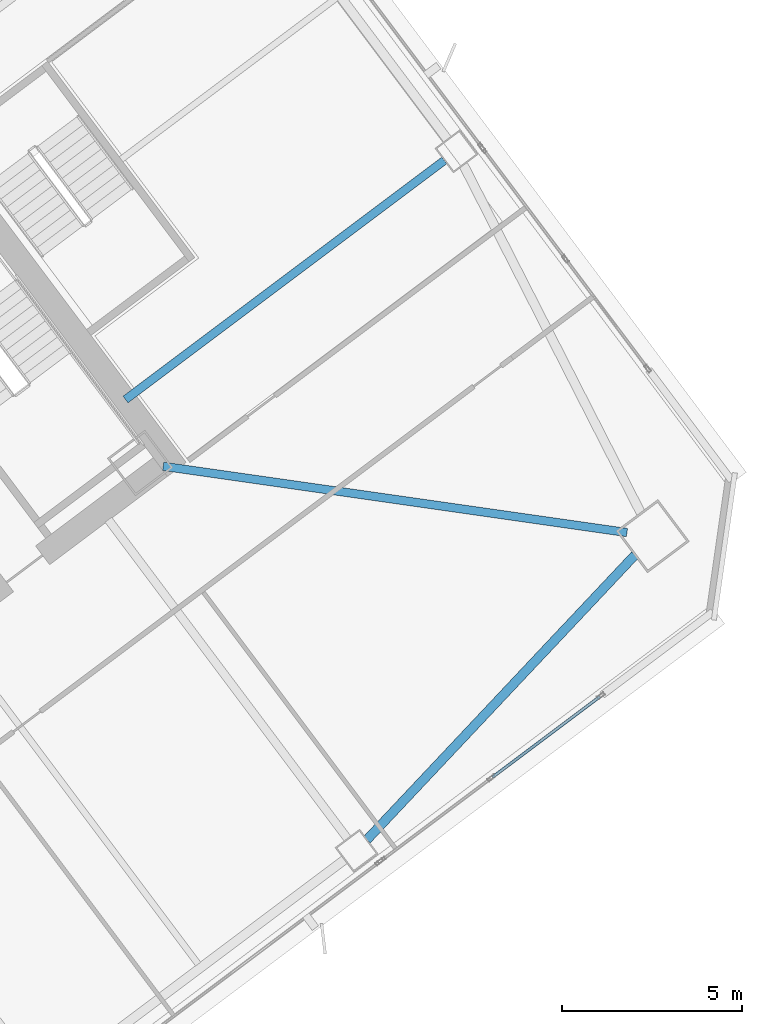
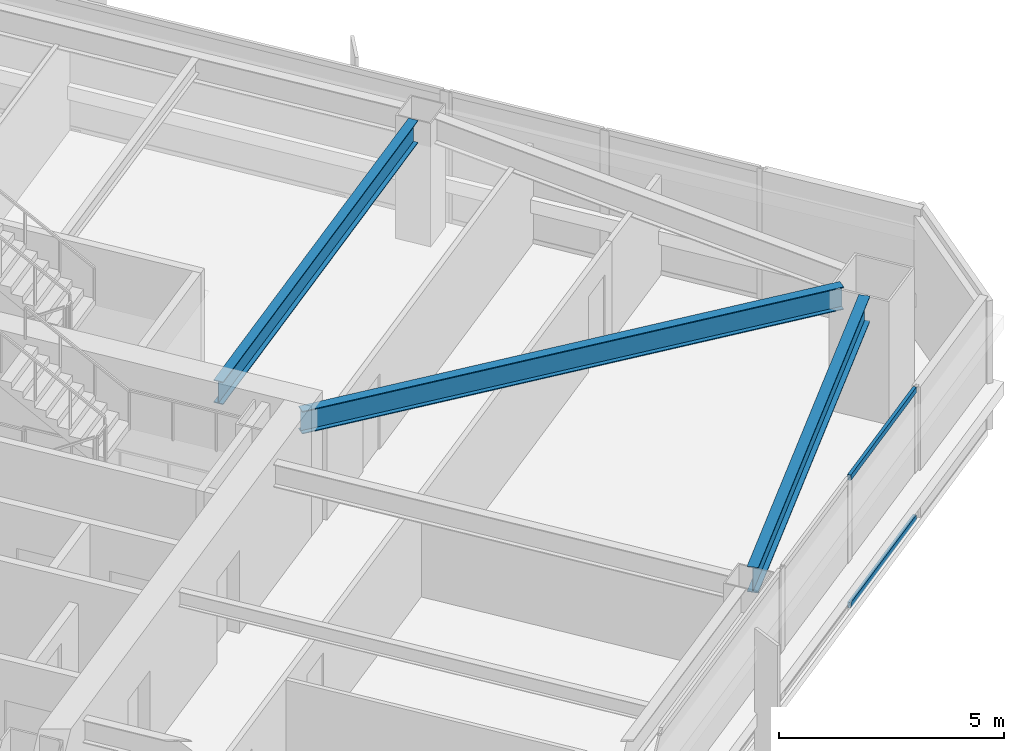
# One storey, part 27 of 49: 3 beams, 2 members, 1 element without a shape of its own.
"""IFC4 building model written with IfcOpenShell, lengths in metres."""

from ifc_helpers import new_model, si_unit, direction, frame, origin, origin_2d, place, context, subcontext, project, spatial, hollow_rectangle, i_section, extrude, material, material_profile, profile_set, type_object, element, aggregate, save


model = new_model("IFC4")

# Units and contexts
model_context = context("Model", 3, precision=1e-05, world=origin(), true_north=direction((0.0, 1.0)))
body_context = subcontext(model_context, "Body", "Model", "MODEL_VIEW")
ifc_project = project(units=[si_unit("LENGTHUNIT", "METRE"), si_unit("AREAUNIT", "SQUARE_METRE"), si_unit("VOLUMEUNIT", "CUBIC_METRE"), si_unit("PLANEANGLEUNIT", "RADIAN"), si_unit("MASSUNIT", "GRAM", prefix="KILO")], contexts=[model_context])

# Site, building, storey
site_placement = place(None, origin())
site = spatial("IfcSite", under=ifc_project, at=site_placement, CompositionType="ELEMENT")
building_placement = place(site_placement, origin())
building = spatial("IfcBuilding", under=site, at=building_placement, Name="Tashvorn Skyway Center", CompositionType="ELEMENT")
storey_placement = place(building_placement, frame((0.0, 0.0, 70.75)))
storey = spatial("IfcBuildingStorey", under=building, at=storey_placement, Name="L18", CompositionType="ELEMENT", Elevation=70.75)

# Beams
ifc_material_1 = material(Name="Steel ASTM A992 Grade 50", Category="steel")
ifc_material_profile_1 = material_profile(ifc_material_1, i_section(OverallWidth=0.22998046875, OverallDepth=0.616943359375, WebThickness=0.01318359375, FlangeThickness=0.022216796875, at=origin_2d()), Name="W24X94")
ifc_profile_set_1 = profile_set([ifc_material_profile_1], Name="Steel ASTM A992 Grade 50")
beam_type_1 = type_object("IfcBeamType", Name="BM-BEAM-W24X94", PredefinedType="BEAM", material=ifc_profile_set_1)
beam_1_placement = place(storey_placement, frame((137.3671875, 28.661865234375, 3.04150390625), z_axis=(-0.989949869571, 0.141418724841, 0.0), x_axis=(-0.141418724841, -0.989949869571, 0.0)))
element("IfcBeam", 1, at=beam_1_placement, inside=storey, type_object=beam_type_1, Name="Tower 2 L18 Primary Floor Girder MC-SE", PredefinedType="BEAM", context=body_context, shape_type="SweptSolid", body=[
    extrude(i_section(OverallWidth=0.22998046875, OverallDepth=0.616943359375, WebThickness=0.01318359375, FlangeThickness=0.022216796875, at=origin_2d()), origin(), (0.0, 0.0, 1.0), 12.9892578125),
])
beam_2_placement = place(storey_placement, frame((132.303955078125, 38.97802734375, 3.04150390625), z_axis=(-0.799989394625, -0.60001414024, 0.0), x_axis=(0.60001414024, -0.799989394625, 0.0)))
element("IfcBeam", 2, at=beam_2_placement, inside=storey, type_object=beam_type_1, Name="Tower 2 L18 Primary Floor Girder FC-E1", PredefinedType="BEAM", context=body_context, shape_type="SweptSolid", body=[
    extrude(i_section(OverallWidth=0.22998046875, OverallDepth=0.616943359375, WebThickness=0.01318359375, FlangeThickness=0.022216796875, at=origin_2d()), origin(), (0.0, 0.0, 1.0), 11.050048828125),
])
ifc_material_profile_2 = material_profile(ifc_material_1, i_section(OverallWidth=0.256103515625, OverallDepth=0.693115234375, WebThickness=0.014404296875, FlangeThickness=0.023681640625, at=origin_2d()), Name="W27X114")
ifc_profile_set_2 = profile_set([ifc_material_profile_2], Name="Steel ASTM A992 Grade 50")
beam_type_2 = type_object("IfcBeamType", Name="BM-SPANDREL-W27X114", PredefinedType="SPANDREL", material=ifc_profile_set_2)
beam_3_placement = place(storey_placement, frame((130.157958984375, 20.145751953125, 3.00341796875), z_axis=(0.685484857238, 0.728086883893, 0.0), x_axis=(-0.728086883893, 0.685484857238, 0.0)))
element("IfcBeam", 3, at=beam_3_placement, inside=storey, type_object=beam_type_2, Name="Tower 2 L18 Spandrel Beam 03", PredefinedType="SPANDREL", context=body_context, shape_type="SweptSolid", body=[
    extrude(i_section(OverallWidth=0.256103515625, OverallDepth=0.693115234375, WebThickness=0.014404296875, FlangeThickness=0.023681640625, at=origin_2d()), origin(), (0.0, 0.0, 1.0), 10.8369140625),
])

# Curtain wall, members
ifc_material_2 = material(Name="Thermally broken bronze-anodized aluminium 6063-T6", Category="aluminium")
curtain_wall_type = type_object("IfcCurtainWallType", Name="CW-CW-Z2", PredefinedType="NOTDEFINED", material=ifc_material_2)
curtain_wall_placement = place(storey_placement, origin())
curtain_wall = element("IfcCurtainWall", 4, at=curtain_wall_placement, inside=storey, type_object=curtain_wall_type, Name="Tower 2 L18 South Unitised Curtain Wall Glazing Group 1", PredefinedType="NOTDEFINED")
ifc_material_profile_3 = material_profile(ifc_material_2, hollow_rectangle(XDim=0.080078125, YDim=0.14990234375, WallThickness=0.00439453125, at=origin_2d()), Name="ALU-TRAN-80x150")
ifc_profile_set_3 = profile_set([ifc_material_profile_3], Name="Thermally broken bronze-anodized aluminium 6063-T6")
member_type = type_object("IfcMemberType", Name="CWT-CW-Z2", PredefinedType="USERDEFINED", material=ifc_profile_set_3)
member_1_placement = place(storey_placement, frame((136.615966796875, 24.112060546875, 0.0400390625), z_axis=(-0.799984249419, -0.6000210002, 0.0), x_axis=(0.6000210002, -0.799984249419, 0.0)))
member_1 = element("IfcMember", 5, at=member_1_placement, type_object=member_type, Name="CW-Z2 transom 1.1", ObjectType="TRANSOM", PredefinedType="USERDEFINED", context=body_context, shape_type="SweptSolid", body=[
    extrude(hollow_rectangle(XDim=0.080078125, YDim=0.14990234375, WallThickness=0.00439453125, at=origin_2d()), origin(), (0.0, 0.0, 1.0), 3.72021484375),
])
member_2_placement = place(storey_placement, frame((136.615966796875, 24.112060546875, 3.510009765625), z_axis=(-0.799984249419, -0.6000210002, 0.0), x_axis=(0.6000210002, -0.799984249419, 0.0)))
member_2 = element("IfcMember", 6, at=member_2_placement, type_object=member_type, Name="CW-Z2 transom 1.2", ObjectType="TRANSOM", PredefinedType="USERDEFINED", context=body_context, shape_type="SweptSolid", body=[
    extrude(hollow_rectangle(XDim=0.080078125, YDim=0.14990234375, WallThickness=0.00439453125, at=origin_2d()), origin(), (0.0, 0.0, 1.0), 3.72021484375),
])
aggregate(curtain_wall, [member_1, member_2])

save(model, "model.ifc")
